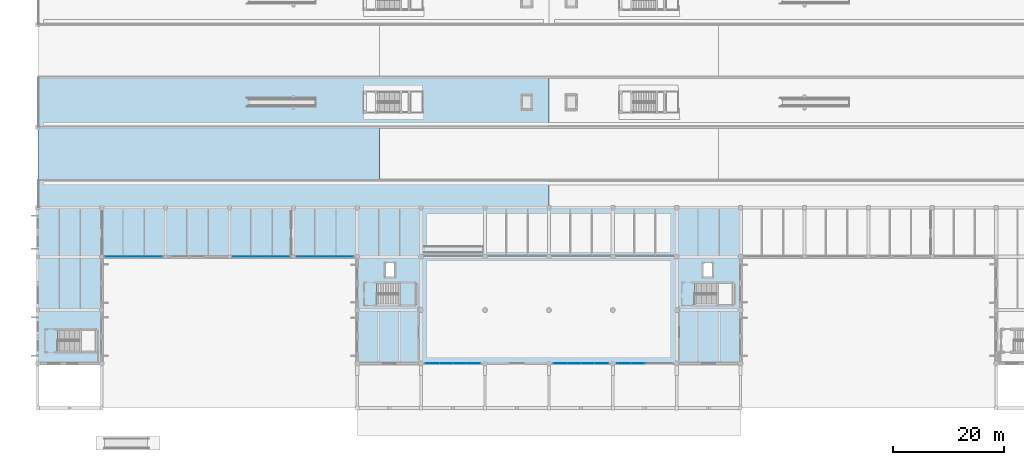
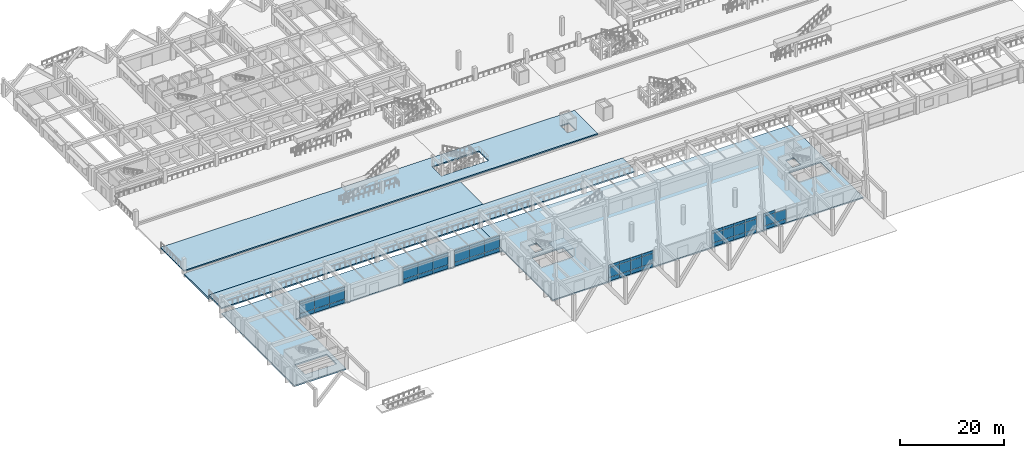
# One storey, part 72 of 109: 56 plates, 6 slabs, 7 elements without a shape of their own.
"""IFC4 building model written with IfcOpenShell, lengths in metres."""

import ifcopenshell
import ifcopenshell.guid

model = None  # the IFC model being written
_history = None  # IfcOwnerHistory: only IFC2X3 demands one
_inside = {}  # id of a spatial element -> (the spatial element, [elements in it])
_under = {}  # id of a project, library or spatial element -> (it, [spatial elements below it])
_declared = {}  # id of a project -> (the project, [libraries it declares])
_typed = {}  # id of a type object -> (the type object, [elements of that type])
_made_of = {}  # id of a material, layer set ... -> (it, [elements and type objects made of it])


def new_model(schema):
    """Start an empty IFC model of exactly this schema.

    Asked for "IFC4X3", IfcOpenShell would pick the latest addendum, in which some entities
    have other attributes; the version numbers below select the first issue.
    IFC2X3 requires an IfcOwnerHistory on every rooted entity: one is made here for all.
    """
    global model, _history
    if schema == "IFC4X3":
        model = ifcopenshell.file(schema_version=(4, 3, 0, 0))
    else:
        model = ifcopenshell.file(schema=schema)
    _inside.clear()
    _under.clear()
    _declared.clear()
    _typed.clear()
    _made_of.clear()
    _history = None
    if model.schema == "IFC2X3":
        org = make("IfcOrganization", Name="unknown")
        user = make(
            "IfcPersonAndOrganization",
            ThePerson=make("IfcPerson", FamilyName="unknown"),
            TheOrganization=org,
        )
        app = make(
            "IfcApplication",
            ApplicationDeveloper=org,
            Version="unknown",
            ApplicationFullName="unknown",
            ApplicationIdentifier="unknown",
        )
        _history = make(
            "IfcOwnerHistory",
            OwningUser=user,
            OwningApplication=app,
            ChangeAction="ADDED",
            CreationDate=0,
        )
    return model


def make(cls, **values):
    """One entity of the class cls with the attributes given. An attribute that is None is left unset."""
    return model.create_entity(
        cls, **{name: value for name, value in values.items() if value is not None}
    )


def rooted(cls, **values):
    """An entity with a GlobalId (a new one), such as an element, a storey or a relation."""
    return make(cls, GlobalId=ifcopenshell.guid.new(), OwnerHistory=_history, **values)


def si_unit(unit_type, name, prefix=None):
    """IfcSIUnit, for example si_unit("LENGTHUNIT", "METRE", prefix="MILLI")."""
    return make("IfcSIUnit", UnitType=unit_type, Prefix=prefix, Name=name)


def assignment(units):
    """IfcUnitAssignment: the units of a project."""
    return None if units is None else make("IfcUnitAssignment", Units=units)


def point(xyz):
    """IfcCartesianPoint."""
    return None if xyz is None else make("IfcCartesianPoint", Coordinates=xyz)


def direction(xyz):
    """IfcDirection."""
    return None if xyz is None else make("IfcDirection", DirectionRatios=xyz)


def frame(location, z_axis=None, x_axis=None):
    """IfcAxis2Placement3D, a coordinate frame: its origin and axes. An axis left out is left unset."""
    return make(
        "IfcAxis2Placement3D",
        Location=point(location),
        Axis=direction(z_axis),
        RefDirection=direction(x_axis),
    )


def frame_2d(location, x_axis=None):
    """IfcAxis2Placement2D, a coordinate frame in the plane: its origin and x axis."""
    return make(
        "IfcAxis2Placement2D", Location=point(location), RefDirection=direction(x_axis)
    )


def origin():
    """The frame at (0, 0, 0) with its axes left unset."""
    return frame((0.0, 0.0, 0.0))


def origin_2d():
    """The frame at (0, 0) in the plane with its x axis left unset."""
    return frame_2d((0.0, 0.0))


def place(relative_to, where):
    """IfcLocalPlacement: puts the frame where relative to a parent placement (None: the world)."""
    return make(
        "IfcLocalPlacement", PlacementRelTo=relative_to, RelativePlacement=where
    )


def context(
    kind, dimensions, precision=None, world=None, true_north=None, identifier=None
):
    """IfcGeometricRepresentationContext, for example the 3D "Model" context."""
    return make(
        "IfcGeometricRepresentationContext",
        ContextIdentifier=identifier,
        ContextType=kind,
        CoordinateSpaceDimension=dimensions,
        Precision=precision,
        WorldCoordinateSystem=world,
        TrueNorth=true_north,
    )


def subcontext(parent, identifier, kind, view, scale=None):
    """IfcGeometricRepresentationSubContext, for example "Body" below "Model"."""
    return make(
        "IfcGeometricRepresentationSubContext",
        ContextIdentifier=identifier,
        ContextType=kind,
        ParentContext=parent,
        TargetScale=scale,
        TargetView=view,
    )


def project(units=None, contexts=None):
    """IfcProject with its units and contexts."""
    return rooted(
        "IfcProject",
        Name="project",
        RepresentationContexts=contexts,
        UnitsInContext=assignment(units),
    )


def spatial(cls, under=None, at=None, **own):
    """A site, building, storey or space (cls), placed at a placement, below another one or the project."""
    s = rooted(cls, ObjectPlacement=at, **own)
    if under is not None:
        _under.setdefault(under.id(), (under, []))[1].append(s)
    return s


def polyline(points):
    """IfcPolyline through the points."""
    return make("IfcPolyline", Points=[point(p) for p in points])


def profile(cls, at=None, kind="AREA", **sizes):
    """A parametric profile (cls). Its sizes go by their IFC names, for example OverallWidth=200.0."""
    return make(cls, ProfileType=kind, Position=at, **sizes)


def rectangle(**sizes):
    """IfcRectangleProfileDef."""
    return profile("IfcRectangleProfileDef", **sizes)


def outline(outer, holes=None, kind="AREA"):
    """IfcArbitraryClosedProfileDef: a profile drawn as a closed curve; with holes, ...WithVoids."""
    if holes is None:
        return make("IfcArbitraryClosedProfileDef", ProfileType=kind, OuterCurve=outer)
    return make(
        "IfcArbitraryProfileDefWithVoids",
        ProfileType=kind,
        OuterCurve=outer,
        InnerCurves=holes,
    )


def extrude(swept, where, along, depth):
    """IfcExtrudedAreaSolid: the profile swept, set in the frame where, extruded along a direction by depth."""
    return make(
        "IfcExtrudedAreaSolid",
        SweptArea=swept,
        Position=where,
        ExtrudedDirection=direction(along),
        Depth=depth,
    )


def shape(context_of_items, identifier, shape_type, items):
    """IfcShapeRepresentation: the items that make up one representation, for example the "Body"."""
    return make(
        "IfcShapeRepresentation",
        ContextOfItems=context_of_items,
        RepresentationIdentifier=identifier,
        RepresentationType=shape_type,
        Items=items,
    )


def material(Name=None, Category=None):
    """IfcMaterial."""
    return make("IfcMaterial", Name=Name, Category=Category)


def layer(
    of_material, thickness, ventilated=None, Name=None, Category=None, Priority=None
):
    """IfcMaterialLayer: one layer of a wall or slab, of a material (None: an air gap)."""
    return make(
        "IfcMaterialLayer",
        Material=of_material,
        LayerThickness=thickness,
        IsVentilated=ventilated,
        Name=Name,
        Category=Category,
        Priority=Priority,
    )


def layer_set(layers, Name=None):
    """IfcMaterialLayerSet."""
    return make("IfcMaterialLayerSet", MaterialLayers=layers, LayerSetName=Name)


def made_of(thing, what):
    """Note that an element or type object is made of a material, layer set ...; save() writes the relation."""
    if what is not None:
        _made_of.setdefault(what.id(), (what, []))[1].append(thing)
    return thing


def type_object(cls, material=None, **own):
    """A type object (cls), such as IfcWallType, which elements share."""
    return made_of(rooted(cls, **own), material)


def element(
    cls,
    number,
    at=None,
    inside=None,
    cuts=None,
    type_object=None,
    material=None,
    context=None,
    identifier="Body",
    shape_type=None,
    held_by="IfcProductDefinitionShape",
    body=None,
    shapes=None,
    **own,
):
    """One element of the class cls, such as IfcWall. Its Tag is "e" and its number.

    at: its placement. inside: the storey or other place that contains it. cuts: it is an
    opening in that element (IfcRelVoidsElement). A single representation is given by context,
    identifier, shape_type and body (its items); several are given by shapes. held_by: the class
    of the entity that holds the representations. save() writes the other relations.
    """
    e = rooted(cls, Tag="e%d" % number, ObjectPlacement=at, **own)
    if body is not None:
        shapes = [shape(context, identifier, shape_type, body)]
    if shapes is not None:
        e.Representation = make(held_by, Representations=shapes)
    if inside is not None:
        _inside.setdefault(inside.id(), (inside, []))[1].append(e)
    if cuts is not None:
        rooted(
            "IfcRelVoidsElement", RelatingBuildingElement=cuts, RelatedOpeningElement=e
        )
    if type_object is not None:
        _typed.setdefault(type_object.id(), (type_object, []))[1].append(e)
    return made_of(e, material)


def aggregate(whole, parts):
    """IfcRelAggregates: a whole, such as a stair, and the parts it consists of."""
    return rooted("IfcRelAggregates", RelatingObject=whole, RelatedObjects=parts)


def save(model, path):
    """Write the relations noted so far, then the file.

    IfcRelAggregates (storeys below a building ...), IfcRelContainedInSpatialStructure (elements
    in a storey), IfcRelDefinesByType, IfcRelAssociatesMaterial and IfcRelDeclares: one each for
    every whole, place, type object, material and project.
    """
    for whole, parts in _under.values():
        aggregate(whole, parts)
    for where, things in _inside.values():
        rooted(
            "IfcRelContainedInSpatialStructure",
            RelatedElements=things,
            RelatingStructure=where,
        )
    for kind, things in _typed.values():
        rooted("IfcRelDefinesByType", RelatedObjects=things, RelatingType=kind)
    for what, things in _made_of.values():
        rooted("IfcRelAssociatesMaterial", RelatedObjects=things, RelatingMaterial=what)
    for by, libraries in _declared.values():
        rooted("IfcRelDeclares", RelatingContext=by, RelatedDefinitions=libraries)
    model.write(path)


model = new_model("IFC4")

# Units and contexts
model_context = context("Model", 3, precision=1e-05, world=origin(), true_north=direction((0.0, 1.0)))
body_context = subcontext(model_context, "Body", "Model", "MODEL_VIEW")
ifc_project = project(units=[si_unit("LENGTHUNIT", "METRE"), si_unit("AREAUNIT", "SQUARE_METRE"), si_unit("VOLUMEUNIT", "CUBIC_METRE"), si_unit("PLANEANGLEUNIT", "RADIAN"), si_unit("MASSUNIT", "GRAM", prefix="KILO")], contexts=[model_context])

# Site, building, storey
site_placement = place(None, origin())
site = spatial("IfcSite", under=ifc_project, at=site_placement, CompositionType="ELEMENT")
building_placement = place(site_placement, origin())
building = spatial("IfcBuilding", under=site, at=building_placement, Name="Ologun Quay Terminus", CompositionType="ELEMENT")
storey_placement = place(building_placement, origin())
storey = spatial("IfcBuildingStorey", under=building, at=storey_placement, Name="L00", CompositionType="ELEMENT", Elevation=0.0)

# Curtain wall, plates
ifc_material_1 = material(Name="Aluminium 6063-T6", Category="aluminium")
curtain_wall_type = type_object("IfcCurtainWallType", Name="Forecourt Arcade Curtain Wall 10700x3750", PredefinedType="USERDEFINED", material=ifc_material_1)
curtain_wall_1_placement = place(storey_placement, origin())
curtain_wall_1 = element("IfcCurtainWall", 1, at=curtain_wall_1_placement, inside=storey, type_object=curtain_wall_type, Name="CW-03 Curtain Wall CW-L00-004", ObjectType="UNITISED CURTAIN WALL", PredefinedType="USERDEFINED")
ifc_material_2 = material(Name="Glass", Category="glass")
ifc_layer_1 = layer(ifc_material_2, 0.031982421875)
ifc_layer_set_1 = layer_set([ifc_layer_1], Name="Glass")
plate_type_1 = type_object("IfcPlateType", Name="Acoustic Low-E Laminated Glazed Panel 32", PredefinedType="CURTAIN_PANEL", material=ifc_layer_set_1)
plate_1_placement = place(storey_placement, frame((71.052490234375, 8.0, 0.93017578125), z_axis=(0.0, 0.0, 1.0), x_axis=(1.0, 0.0, 0.0)))
plate_1 = element("IfcPlate", 2, at=plate_1_placement, type_object=plate_type_1, Name="CW-L00-004 Panel B1-2", PredefinedType="CURTAIN_PANEL", context=body_context, shape_type="SweptSolid", body=[
    extrude(rectangle(XDim=2.465087890625, YDim=0.031982421875, at=origin_2d()), origin(), (0.0, 0.0, 1.0), 2.219970703125),
])
plate_2_placement = place(storey_placement, frame((71.052490234375, 8.0, 3.2099609375), z_axis=(0.0, 0.0, 1.0), x_axis=(1.0, 0.0, 0.0)))
plate_2 = element("IfcPlate", 3, at=plate_2_placement, type_object=plate_type_1, Name="CW-L00-004 Panel B1-3", PredefinedType="CURTAIN_PANEL", context=body_context, shape_type="SweptSolid", body=[
    extrude(rectangle(XDim=2.465087890625, YDim=0.031982421875, at=origin_2d()), origin(), (0.0, 0.0, 1.0), 0.639892578125),
])
plate_3_placement = place(storey_placement, frame((73.517578125, 8.0, 0.93017578125), z_axis=(0.0, 0.0, 1.0), x_axis=(1.0, 0.0, 0.0)))
plate_3 = element("IfcPlate", 4, at=plate_3_placement, type_object=plate_type_1, Name="CW-L00-004 Panel B2-2", PredefinedType="CURTAIN_PANEL", context=body_context, shape_type="SweptSolid", body=[
    extrude(rectangle(XDim=2.465087890625, YDim=0.031982421875, at=origin_2d()), origin(), (0.0, 0.0, 1.0), 2.219970703125),
])
plate_4_placement = place(storey_placement, frame((73.517578125, 8.0, 3.2099609375), z_axis=(0.0, 0.0, 1.0), x_axis=(1.0, 0.0, 0.0)))
plate_4 = element("IfcPlate", 5, at=plate_4_placement, type_object=plate_type_1, Name="CW-L00-004 Panel B2-3", PredefinedType="CURTAIN_PANEL", context=body_context, shape_type="SweptSolid", body=[
    extrude(rectangle(XDim=2.465087890625, YDim=0.031982421875, at=origin_2d()), origin(), (0.0, 0.0, 1.0), 0.639892578125),
])
plate_5_placement = place(storey_placement, frame((75.982421875, 8.0, 0.93017578125), z_axis=(0.0, 0.0, 1.0), x_axis=(1.0, 0.0, 0.0)))
plate_5 = element("IfcPlate", 6, at=plate_5_placement, type_object=plate_type_1, Name="CW-L00-004 Panel B3-2", PredefinedType="CURTAIN_PANEL", context=body_context, shape_type="SweptSolid", body=[
    extrude(rectangle(XDim=2.465087890625, YDim=0.031982421875, at=origin_2d()), origin(), (0.0, 0.0, 1.0), 2.219970703125),
])
plate_6_placement = place(storey_placement, frame((75.982421875, 8.0, 3.2099609375), z_axis=(0.0, 0.0, 1.0), x_axis=(1.0, 0.0, 0.0)))
plate_6 = element("IfcPlate", 7, at=plate_6_placement, type_object=plate_type_1, Name="CW-L00-004 Panel B3-3", PredefinedType="CURTAIN_PANEL", context=body_context, shape_type="SweptSolid", body=[
    extrude(rectangle(XDim=2.465087890625, YDim=0.031982421875, at=origin_2d()), origin(), (0.0, 0.0, 1.0), 0.639892578125),
])
plate_7_placement = place(storey_placement, frame((78.447509765625, 8.0, 0.93017578125), z_axis=(0.0, 0.0, 1.0), x_axis=(1.0, 0.0, 0.0)))
plate_7 = element("IfcPlate", 8, at=plate_7_placement, type_object=plate_type_1, Name="CW-L00-004 Panel B4-2", PredefinedType="CURTAIN_PANEL", context=body_context, shape_type="SweptSolid", body=[
    extrude(rectangle(XDim=2.465087890625, YDim=0.031982421875, at=origin_2d()), origin(), (0.0, 0.0, 1.0), 2.219970703125),
])
plate_8_placement = place(storey_placement, frame((78.447509765625, 8.0, 3.2099609375), z_axis=(0.0, 0.0, 1.0), x_axis=(1.0, 0.0, 0.0)))
plate_8 = element("IfcPlate", 9, at=plate_8_placement, type_object=plate_type_1, Name="CW-L00-004 Panel B4-3", PredefinedType="CURTAIN_PANEL", context=body_context, shape_type="SweptSolid", body=[
    extrude(rectangle(XDim=2.465087890625, YDim=0.031982421875, at=origin_2d()), origin(), (0.0, 0.0, 1.0), 0.639892578125),
])

curtain_wall_2_placement = place(storey_placement, origin())
curtain_wall_2 = element("IfcCurtainWall", 10, at=curtain_wall_2_placement, inside=storey, type_object=curtain_wall_type, Name="CW-03 Curtain Wall CW-L00-005", ObjectType="UNITISED CURTAIN WALL", PredefinedType="USERDEFINED")
plate_9_placement = place(storey_placement, frame((94.052490234375, 8.0, 0.93017578125), z_axis=(0.0, 0.0, 1.0), x_axis=(1.0, 0.0, 0.0)))
plate_9 = element("IfcPlate", 11, at=plate_9_placement, type_object=plate_type_1, Name="CW-L00-005 Panel B1-2", PredefinedType="CURTAIN_PANEL", context=body_context, shape_type="SweptSolid", body=[
    extrude(rectangle(XDim=2.465087890625, YDim=0.031982421875, at=origin_2d()), origin(), (0.0, 0.0, 1.0), 2.219970703125),
])
plate_10_placement = place(storey_placement, frame((94.052490234375, 8.0, 3.2099609375), z_axis=(0.0, 0.0, 1.0), x_axis=(1.0, 0.0, 0.0)))
plate_10 = element("IfcPlate", 12, at=plate_10_placement, type_object=plate_type_1, Name="CW-L00-005 Panel B1-3", PredefinedType="CURTAIN_PANEL", context=body_context, shape_type="SweptSolid", body=[
    extrude(rectangle(XDim=2.465087890625, YDim=0.031982421875, at=origin_2d()), origin(), (0.0, 0.0, 1.0), 0.639892578125),
])
plate_11_placement = place(storey_placement, frame((96.517578125, 8.0, 0.93017578125), z_axis=(0.0, 0.0, 1.0), x_axis=(1.0, 0.0, 0.0)))
plate_11 = element("IfcPlate", 13, at=plate_11_placement, type_object=plate_type_1, Name="CW-L00-005 Panel B2-2", PredefinedType="CURTAIN_PANEL", context=body_context, shape_type="SweptSolid", body=[
    extrude(rectangle(XDim=2.465087890625, YDim=0.031982421875, at=origin_2d()), origin(), (0.0, 0.0, 1.0), 2.219970703125),
])
plate_12_placement = place(storey_placement, frame((96.517578125, 8.0, 3.2099609375), z_axis=(0.0, 0.0, 1.0), x_axis=(1.0, 0.0, 0.0)))
plate_12 = element("IfcPlate", 14, at=plate_12_placement, type_object=plate_type_1, Name="CW-L00-005 Panel B2-3", PredefinedType="CURTAIN_PANEL", context=body_context, shape_type="SweptSolid", body=[
    extrude(rectangle(XDim=2.465087890625, YDim=0.031982421875, at=origin_2d()), origin(), (0.0, 0.0, 1.0), 0.639892578125),
])
plate_13_placement = place(storey_placement, frame((98.982421875, 8.0, 0.93017578125), z_axis=(0.0, 0.0, 1.0), x_axis=(1.0, 0.0, 0.0)))
plate_13 = element("IfcPlate", 15, at=plate_13_placement, type_object=plate_type_1, Name="CW-L00-005 Panel B3-2", PredefinedType="CURTAIN_PANEL", context=body_context, shape_type="SweptSolid", body=[
    extrude(rectangle(XDim=2.465087890625, YDim=0.031982421875, at=origin_2d()), origin(), (0.0, 0.0, 1.0), 2.219970703125),
])
plate_14_placement = place(storey_placement, frame((98.982421875, 8.0, 3.2099609375), z_axis=(0.0, 0.0, 1.0), x_axis=(1.0, 0.0, 0.0)))
plate_14 = element("IfcPlate", 16, at=plate_14_placement, type_object=plate_type_1, Name="CW-L00-005 Panel B3-3", PredefinedType="CURTAIN_PANEL", context=body_context, shape_type="SweptSolid", body=[
    extrude(rectangle(XDim=2.465087890625, YDim=0.031982421875, at=origin_2d()), origin(), (0.0, 0.0, 1.0), 0.639892578125),
])
plate_15_placement = place(storey_placement, frame((101.447509765625, 8.0, 0.93017578125), z_axis=(0.0, 0.0, 1.0), x_axis=(1.0, 0.0, 0.0)))
plate_15 = element("IfcPlate", 17, at=plate_15_placement, type_object=plate_type_1, Name="CW-L00-005 Panel B4-2", PredefinedType="CURTAIN_PANEL", context=body_context, shape_type="SweptSolid", body=[
    extrude(rectangle(XDim=2.465087890625, YDim=0.031982421875, at=origin_2d()), origin(), (0.0, 0.0, 1.0), 2.219970703125),
])
plate_16_placement = place(storey_placement, frame((101.447509765625, 8.0, 3.2099609375), z_axis=(0.0, 0.0, 1.0), x_axis=(1.0, 0.0, 0.0)))
plate_16 = element("IfcPlate", 18, at=plate_16_placement, type_object=plate_type_1, Name="CW-L00-005 Panel B4-3", PredefinedType="CURTAIN_PANEL", context=body_context, shape_type="SweptSolid", body=[
    extrude(rectangle(XDim=2.465087890625, YDim=0.031982421875, at=origin_2d()), origin(), (0.0, 0.0, 1.0), 0.639892578125),
])

curtain_wall_3_placement = place(storey_placement, origin())
curtain_wall_3 = element("IfcCurtainWall", 19, at=curtain_wall_3_placement, inside=storey, type_object=curtain_wall_type, Name="CW-03 Curtain Wall CW-L00-006", ObjectType="UNITISED CURTAIN WALL", PredefinedType="USERDEFINED")
plate_17_placement = place(storey_placement, frame((105.552490234375, 8.0, 0.93017578125), z_axis=(0.0, 0.0, 1.0), x_axis=(1.0, 0.0, 0.0)))
plate_17 = element("IfcPlate", 20, at=plate_17_placement, type_object=plate_type_1, Name="CW-L00-006 Panel B1-2", PredefinedType="CURTAIN_PANEL", context=body_context, shape_type="SweptSolid", body=[
    extrude(rectangle(XDim=2.465087890625, YDim=0.031982421875, at=origin_2d()), origin(), (0.0, 0.0, 1.0), 2.219970703125),
])
plate_18_placement = place(storey_placement, frame((105.552490234375, 8.0, 3.2099609375), z_axis=(0.0, 0.0, 1.0), x_axis=(1.0, 0.0, 0.0)))
plate_18 = element("IfcPlate", 21, at=plate_18_placement, type_object=plate_type_1, Name="CW-L00-006 Panel B1-3", PredefinedType="CURTAIN_PANEL", context=body_context, shape_type="SweptSolid", body=[
    extrude(rectangle(XDim=2.465087890625, YDim=0.031982421875, at=origin_2d()), origin(), (0.0, 0.0, 1.0), 0.639892578125),
])
plate_19_placement = place(storey_placement, frame((108.017578125, 8.0, 0.93017578125), z_axis=(0.0, 0.0, 1.0), x_axis=(1.0, 0.0, 0.0)))
plate_19 = element("IfcPlate", 22, at=plate_19_placement, type_object=plate_type_1, Name="CW-L00-006 Panel B2-2", PredefinedType="CURTAIN_PANEL", context=body_context, shape_type="SweptSolid", body=[
    extrude(rectangle(XDim=2.465087890625, YDim=0.031982421875, at=origin_2d()), origin(), (0.0, 0.0, 1.0), 2.219970703125),
])

# Slabs
ifc_material_3 = material(Name="Concrete C40/50", Category="concrete")
ifc_layer_2 = layer(ifc_material_3, 0.320068359375)
ifc_layer_set_2 = layer_set([ifc_layer_2], Name="Concrete C40/50")
slab_type_1 = type_object("IfcSlabType", Name="Ground Podium Structural Slab 320", PredefinedType="FLOOR", material=ifc_layer_set_2)
slab_1_placement = place(storey_placement, frame((0.0, 0.0, -0.320068359375)))
element("IfcSlab", 23, at=slab_1_placement, inside=storey, type_object=slab_type_1, Name="SL-GND South Station Ground Slab 1", PredefinedType="FLOOR", context=body_context, shape_type="SweptSolid", body=[
    extrude(outline(polyline([(0.0, 8.0), (11.5, 8.0), (11.5, 27.199951171875), (57.5, 27.199951171875), (57.5, 36.0), (0.0, 36.0), (0.0, 8.0)]), holes=[polyline([(3.6298828125, 10.199951171875), (3.6298828125, 14.0), (10.64990234375, 14.0), (10.64990234375, 10.199951171875), (3.6298828125, 10.199951171875)])]), origin(), (0.0, 0.0, 1.0), 0.320068359375),
])
slab_2_placement = place(storey_placement, frame((0.0, 0.0, -0.320068359375)))
element("IfcSlab", 24, at=slab_2_placement, inside=storey, type_object=slab_type_1, Name="SL-GND South Station Ground Slab 2", PredefinedType="FLOOR", context=body_context, shape_type="SweptSolid", body=[
    extrude(outline(polyline([(57.5, 8.0), (126.5, 8.0), (126.5, 36.0), (57.5, 36.0), (57.5, 8.0)]), holes=[polyline([(62.449951171875, 23.449951171875), (62.449951171875, 26.14990234375), (64.35009765625, 26.14990234375), (64.35009765625, 23.449951171875), (62.449951171875, 23.449951171875)]), polyline([(119.64990234375, 23.449951171875), (119.64990234375, 26.14990234375), (121.550048828125, 26.14990234375), (121.550048828125, 23.449951171875), (119.64990234375, 23.449951171875)]), polyline([(61.080078125, 18.60009765625), (61.080078125, 22.39990234375), (68.10009765625, 22.39990234375), (68.10009765625, 18.60009765625), (61.080078125, 18.60009765625)]), polyline([(118.280029296875, 18.60009765625), (118.280029296875, 22.39990234375), (125.300048828125, 22.39990234375), (125.300048828125, 18.60009765625), (118.280029296875, 18.60009765625)])]), origin(), (0.0, 0.0, 1.0), 0.320068359375),
])

# Curtain wall, plates
curtain_wall_4_placement = place(storey_placement, origin())
curtain_wall_4 = element("IfcCurtainWall", 25, at=curtain_wall_4_placement, inside=storey, type_object=curtain_wall_type, Name="CW-03 Curtain Wall CW-L00-001", ObjectType="UNITISED CURTAIN WALL", PredefinedType="USERDEFINED")
ifc_material_4 = material(Name="Aluminium 6063-T6", Category="aluminium")
ifc_layer_3 = layer(ifc_material_4, 0.050048828125)
ifc_layer_set_3 = layer_set([ifc_layer_3], Name="Aluminium 6063-T6")
plate_type_2 = type_object("IfcPlateType", Name="Insulated Aluminium Shadow-Box Spandrel 50", PredefinedType="CURTAIN_PANEL", material=ifc_layer_set_3)
plate_20_placement = place(storey_placement, frame((13.896728515625, 27.199951171875, 0.02978515625), z_axis=(0.0, 0.0, 1.0), x_axis=(1.0, 0.0, 0.0)))
plate_20 = element("IfcPlate", 26, at=plate_20_placement, type_object=plate_type_2, Name="CW-L00-001 Panel B1-1", PredefinedType="CURTAIN_PANEL", context=body_context, shape_type="SweptSolid", body=[
    extrude(rectangle(XDim=3.353271484375, YDim=0.050048828125, at=origin_2d()), origin(), (0.0, 0.0, 1.0), 0.840087890625),
])
plate_21_placement = place(storey_placement, frame((17.25, 27.199951171875, 0.02978515625), z_axis=(0.0, 0.0, 1.0), x_axis=(1.0, 0.0, 0.0)))
plate_21 = element("IfcPlate", 27, at=plate_21_placement, type_object=plate_type_2, Name="CW-L00-001 Panel B2-1", PredefinedType="CURTAIN_PANEL", context=body_context, shape_type="SweptSolid", body=[
    extrude(rectangle(XDim=3.353271484375, YDim=0.050048828125, at=origin_2d()), origin(), (0.0, 0.0, 1.0), 0.840087890625),
])
plate_22_placement = place(storey_placement, frame((20.603271484375, 27.199951171875, 0.02978515625), z_axis=(0.0, 0.0, 1.0), x_axis=(1.0, 0.0, 0.0)))
plate_22 = element("IfcPlate", 28, at=plate_22_placement, type_object=plate_type_2, Name="CW-L00-001 Panel B3-1", PredefinedType="CURTAIN_PANEL", context=body_context, shape_type="SweptSolid", body=[
    extrude(rectangle(XDim=3.353271484375, YDim=0.050048828125, at=origin_2d()), origin(), (0.0, 0.0, 1.0), 0.840087890625),
])

curtain_wall_5_placement = place(storey_placement, origin())
curtain_wall_5 = element("IfcCurtainWall", 29, at=curtain_wall_5_placement, inside=storey, type_object=curtain_wall_type, Name="CW-03 Curtain Wall CW-L00-002", ObjectType="UNITISED CURTAIN WALL", PredefinedType="USERDEFINED")
plate_23_placement = place(storey_placement, frame((36.896728515625, 27.199951171875, 0.02978515625), z_axis=(0.0, 0.0, 1.0), x_axis=(1.0, 0.0, 0.0)))
plate_23 = element("IfcPlate", 30, at=plate_23_placement, type_object=plate_type_2, Name="CW-L00-002 Panel B1-1", PredefinedType="CURTAIN_PANEL", context=body_context, shape_type="SweptSolid", body=[
    extrude(rectangle(XDim=3.353271484375, YDim=0.050048828125, at=origin_2d()), origin(), (0.0, 0.0, 1.0), 0.840087890625),
])
plate_24_placement = place(storey_placement, frame((40.25, 27.199951171875, 0.02978515625), z_axis=(0.0, 0.0, 1.0), x_axis=(1.0, 0.0, 0.0)))
plate_24 = element("IfcPlate", 31, at=plate_24_placement, type_object=plate_type_2, Name="CW-L00-002 Panel B2-1", PredefinedType="CURTAIN_PANEL", context=body_context, shape_type="SweptSolid", body=[
    extrude(rectangle(XDim=3.353271484375, YDim=0.050048828125, at=origin_2d()), origin(), (0.0, 0.0, 1.0), 0.840087890625),
])
plate_25_placement = place(storey_placement, frame((43.603271484375, 27.199951171875, 0.02978515625), z_axis=(0.0, 0.0, 1.0), x_axis=(1.0, 0.0, 0.0)))
plate_25 = element("IfcPlate", 32, at=plate_25_placement, type_object=plate_type_2, Name="CW-L00-002 Panel B3-1", PredefinedType="CURTAIN_PANEL", context=body_context, shape_type="SweptSolid", body=[
    extrude(rectangle(XDim=3.353271484375, YDim=0.050048828125, at=origin_2d()), origin(), (0.0, 0.0, 1.0), 0.840087890625),
])

curtain_wall_6_placement = place(storey_placement, origin())
curtain_wall_6 = element("IfcCurtainWall", 33, at=curtain_wall_6_placement, inside=storey, type_object=curtain_wall_type, Name="CW-03 Curtain Wall CW-L00-003", ObjectType="UNITISED CURTAIN WALL", PredefinedType="USERDEFINED")
plate_26_placement = place(storey_placement, frame((48.3798828125, 27.199951171875, 0.02978515625), z_axis=(0.0, 0.0, 1.0), x_axis=(1.0, 0.0, 0.0)))
plate_26 = element("IfcPlate", 34, at=plate_26_placement, type_object=plate_type_2, Name="CW-L00-003 Panel B1-1", PredefinedType="CURTAIN_PANEL", context=body_context, shape_type="SweptSolid", body=[
    extrude(rectangle(XDim=3.320068359375, YDim=0.050048828125, at=origin_2d()), origin(), (0.0, 0.0, 1.0), 0.840087890625),
])
plate_27_placement = place(storey_placement, frame((51.699951171875, 27.199951171875, 0.02978515625), z_axis=(0.0, 0.0, 1.0), x_axis=(1.0, 0.0, 0.0)))
plate_27 = element("IfcPlate", 35, at=plate_27_placement, type_object=plate_type_2, Name="CW-L00-003 Panel B2-1", PredefinedType="CURTAIN_PANEL", context=body_context, shape_type="SweptSolid", body=[
    extrude(rectangle(XDim=3.320068359375, YDim=0.050048828125, at=origin_2d()), origin(), (0.0, 0.0, 1.0), 0.840087890625),
])
plate_28_placement = place(storey_placement, frame((55.02001953125, 27.199951171875, 0.02978515625), z_axis=(0.0, 0.0, 1.0), x_axis=(1.0, 0.0, 0.0)))
plate_28 = element("IfcPlate", 36, at=plate_28_placement, type_object=plate_type_2, Name="CW-L00-003 Panel B3-1", PredefinedType="CURTAIN_PANEL", context=body_context, shape_type="SweptSolid", body=[
    extrude(rectangle(XDim=3.320068359375, YDim=0.050048828125, at=origin_2d()), origin(), (0.0, 0.0, 1.0), 0.840087890625),
])

# Plate
plate_29_placement = place(storey_placement, frame((71.052490234375, 8.0, 0.02978515625), z_axis=(0.0, 0.0, 1.0), x_axis=(1.0, 0.0, 0.0)))
plate_29 = element("IfcPlate", 37, at=plate_29_placement, type_object=plate_type_2, Name="CW-L00-004 Panel B1-1", PredefinedType="CURTAIN_PANEL", context=body_context, shape_type="SweptSolid", body=[
    extrude(rectangle(XDim=2.465087890625, YDim=0.050048828125, at=origin_2d()), origin(), (0.0, 0.0, 1.0), 0.840087890625),
])

plate_30_placement = place(storey_placement, frame((73.517578125, 8.0, 0.02978515625), z_axis=(0.0, 0.0, 1.0), x_axis=(1.0, 0.0, 0.0)))
plate_30 = element("IfcPlate", 38, at=plate_30_placement, type_object=plate_type_2, Name="CW-L00-004 Panel B2-1", PredefinedType="CURTAIN_PANEL", context=body_context, shape_type="SweptSolid", body=[
    extrude(rectangle(XDim=2.465087890625, YDim=0.050048828125, at=origin_2d()), origin(), (0.0, 0.0, 1.0), 0.840087890625),
])

plate_31_placement = place(storey_placement, frame((75.982421875, 8.0, 0.02978515625), z_axis=(0.0, 0.0, 1.0), x_axis=(1.0, 0.0, 0.0)))
plate_31 = element("IfcPlate", 39, at=plate_31_placement, type_object=plate_type_2, Name="CW-L00-004 Panel B3-1", PredefinedType="CURTAIN_PANEL", context=body_context, shape_type="SweptSolid", body=[
    extrude(rectangle(XDim=2.465087890625, YDim=0.050048828125, at=origin_2d()), origin(), (0.0, 0.0, 1.0), 0.840087890625),
])

plate_32_placement = place(storey_placement, frame((78.447509765625, 8.0, 0.02978515625), z_axis=(0.0, 0.0, 1.0), x_axis=(1.0, 0.0, 0.0)))
plate_32 = element("IfcPlate", 40, at=plate_32_placement, type_object=plate_type_2, Name="CW-L00-004 Panel B4-1", PredefinedType="CURTAIN_PANEL", context=body_context, shape_type="SweptSolid", body=[
    extrude(rectangle(XDim=2.465087890625, YDim=0.050048828125, at=origin_2d()), origin(), (0.0, 0.0, 1.0), 0.840087890625),
])

aggregate(curtain_wall_1, [plate_29, plate_1, plate_2, plate_30, plate_3, plate_4, plate_31, plate_5, plate_6, plate_32, plate_7, plate_8])

plate_33_placement = place(storey_placement, frame((94.052490234375, 8.0, 0.02978515625), z_axis=(0.0, 0.0, 1.0), x_axis=(1.0, 0.0, 0.0)))
plate_33 = element("IfcPlate", 41, at=plate_33_placement, type_object=plate_type_2, Name="CW-L00-005 Panel B1-1", PredefinedType="CURTAIN_PANEL", context=body_context, shape_type="SweptSolid", body=[
    extrude(rectangle(XDim=2.465087890625, YDim=0.050048828125, at=origin_2d()), origin(), (0.0, 0.0, 1.0), 0.840087890625),
])

plate_34_placement = place(storey_placement, frame((96.517578125, 8.0, 0.02978515625), z_axis=(0.0, 0.0, 1.0), x_axis=(1.0, 0.0, 0.0)))
plate_34 = element("IfcPlate", 42, at=plate_34_placement, type_object=plate_type_2, Name="CW-L00-005 Panel B2-1", PredefinedType="CURTAIN_PANEL", context=body_context, shape_type="SweptSolid", body=[
    extrude(rectangle(XDim=2.465087890625, YDim=0.050048828125, at=origin_2d()), origin(), (0.0, 0.0, 1.0), 0.840087890625),
])

plate_35_placement = place(storey_placement, frame((98.982421875, 8.0, 0.02978515625), z_axis=(0.0, 0.0, 1.0), x_axis=(1.0, 0.0, 0.0)))
plate_35 = element("IfcPlate", 43, at=plate_35_placement, type_object=plate_type_2, Name="CW-L00-005 Panel B3-1", PredefinedType="CURTAIN_PANEL", context=body_context, shape_type="SweptSolid", body=[
    extrude(rectangle(XDim=2.465087890625, YDim=0.050048828125, at=origin_2d()), origin(), (0.0, 0.0, 1.0), 0.840087890625),
])

plate_36_placement = place(storey_placement, frame((101.447509765625, 8.0, 0.02978515625), z_axis=(0.0, 0.0, 1.0), x_axis=(1.0, 0.0, 0.0)))
plate_36 = element("IfcPlate", 44, at=plate_36_placement, type_object=plate_type_2, Name="CW-L00-005 Panel B4-1", PredefinedType="CURTAIN_PANEL", context=body_context, shape_type="SweptSolid", body=[
    extrude(rectangle(XDim=2.465087890625, YDim=0.050048828125, at=origin_2d()), origin(), (0.0, 0.0, 1.0), 0.840087890625),
])

aggregate(curtain_wall_2, [plate_33, plate_9, plate_10, plate_34, plate_11, plate_12, plate_35, plate_13, plate_14, plate_36, plate_15, plate_16])

plate_37_placement = place(storey_placement, frame((105.552490234375, 8.0, 0.02978515625), z_axis=(0.0, 0.0, 1.0), x_axis=(1.0, 0.0, 0.0)))
plate_37 = element("IfcPlate", 45, at=plate_37_placement, type_object=plate_type_2, Name="CW-L00-006 Panel B1-1", PredefinedType="CURTAIN_PANEL", context=body_context, shape_type="SweptSolid", body=[
    extrude(rectangle(XDim=2.465087890625, YDim=0.050048828125, at=origin_2d()), origin(), (0.0, 0.0, 1.0), 0.840087890625),
])

plate_38_placement = place(storey_placement, frame((108.017578125, 8.0, 0.02978515625), z_axis=(0.0, 0.0, 1.0), x_axis=(1.0, 0.0, 0.0)))
plate_38 = element("IfcPlate", 46, at=plate_38_placement, type_object=plate_type_2, Name="CW-L00-006 Panel B2-1", PredefinedType="CURTAIN_PANEL", context=body_context, shape_type="SweptSolid", body=[
    extrude(rectangle(XDim=2.465087890625, YDim=0.050048828125, at=origin_2d()), origin(), (0.0, 0.0, 1.0), 0.840087890625),
])

aggregate(curtain_wall_3, [plate_37, plate_17, plate_18, plate_38, plate_19])

# Slabs
ifc_material_5 = material(Name="Concrete C40/50", Category="concrete")
ifc_layer_4 = layer(ifc_material_5, 0.39990234375)
ifc_layer_set_4 = layer_set([ifc_layer_4], Name="Concrete C40/50")
slab_type_2 = type_object("IfcSlabType", Name="Isolated Railway Track Bed Slab 400", PredefinedType="FLOOR", material=ifc_layer_set_4)
slab_3_placement = place(storey_placement, frame((0.0, 0.0, 0.14990234375)))
element("IfcSlab", 47, at=slab_3_placement, inside=storey, type_object=slab_type_2, Name="SL-TRK Track Bed T1-T2 Slab Zone 1", PredefinedType="FLOOR", context=body_context, shape_type="SweptSolid", body=[
    extrude(outline(polyline([(0.0, 41.0), (61.5, 41.0), (61.5, 50.5), (0.0, 50.5), (0.0, 41.0)])), origin(), (0.0, 0.0, 1.0), 0.400146484375),
])
ifc_material_6 = material(Name="Concrete C40/50", Category="concrete")
ifc_layer_5 = layer(ifc_material_6, 0.300048828125)
ifc_layer_set_5 = layer_set([ifc_layer_5], Name="Concrete C40/50")
slab_type_3 = type_object("IfcSlabType", Name="Passenger Platform Deck Slab 300", PredefinedType="FLOOR", material=ifc_layer_set_5)
slab_4_placement = place(storey_placement, frame((0.0, 0.0, 0.949951171875)))
element("IfcSlab", 48, at=slab_4_placement, inside=storey, type_object=slab_type_3, Name="SL-PLT Platform 1 Slab Part 1", PredefinedType="FLOOR", context=body_context, shape_type="SweptSolid", body=[
    extrude(outline(polyline([(0.0, 50.5), (92.0, 50.5), (92.0, 59.5), (0.0, 59.5), (0.0, 50.5)]), holes=[polyline([(87.050048828125, 53.64990234375), (87.050048828125, 56.35009765625), (88.949951171875, 56.35009765625), (88.949951171875, 53.64990234375), (87.050048828125, 53.64990234375)]), polyline([(58.75, 53.14990234375), (58.75, 56.85009765625), (69.25, 56.85009765625), (69.25, 53.14990234375), (58.75, 53.14990234375)])]), origin(), (0.0, 0.0, 1.0), 0.300048828125),
])
slab_5_placement = place(storey_placement, frame((0.0, 0.0, 0.949951171875)))
element("IfcSlab", 49, at=slab_5_placement, inside=storey, type_object=slab_type_3, Name="SL-PLT Platform 3 Slab Part 1", PredefinedType="FLOOR", context=body_context, shape_type="SweptSolid", body=[
    extrude(outline(polyline([(0.0, 36.0), (92.0, 36.0), (92.0, 41.0), (0.0, 41.0), (0.0, 36.0)])), origin(), (0.0, 0.0, 1.0), 0.300048828125),
])

# Stair, slab
ifc_material_7 = material(Name="Concrete C40/50", Category="concrete")
stair_type = type_object("IfcStairType", Name="Station Concourse Escape Stair 1800", PredefinedType="HALF_TURN_STAIR", material=ifc_material_7)
stair_placement = place(storey_placement, origin())
stair = element("IfcStair", 50, at=stair_placement, inside=storey, type_object=stair_type, Name="ST-S3 Stair L00", PredefinedType="HALF_TURN_STAIR")
ifc_material_8 = material(Name="Precast Concrete C40/50", Category="concrete")
ifc_layer_6 = layer(ifc_material_8, 0.179931640625)
ifc_layer_set_6 = layer_set([ifc_layer_6], Name="Precast Concrete C40/50")
slab_type_4 = type_object("IfcSlabType", Name="Precast Stair Half-Landing Slab 180", PredefinedType="LANDING", material=ifc_layer_set_6)
slab_6_placement = place(storey_placement, frame((0.0, 0.0, 1.919921875)))
slab_6 = element("IfcSlab", 51, at=slab_6_placement, type_object=slab_type_4, Name="ST-S3 Half-Landing L00", PredefinedType="LANDING", context=body_context, shape_type="SweptSolid", body=[
    extrude(outline(polyline([(64.919921875, 18.52001953125), (68.179931640625, 18.52001953125), (68.179931640625, 22.47998046875), (64.919921875, 22.47998046875), (64.919921875, 18.52001953125)])), origin(), (0.0, 0.0, 1.0), 0.18017578125),
])
aggregate(stair, [slab_6])

# Plate
ifc_material_9 = material(Name="Glass", Category="glass")
ifc_layer_7 = layer(ifc_material_9, 0.028076171875)
ifc_layer_set_7 = layer_set([ifc_layer_7], Name="Glass")
plate_type_3 = type_object("IfcPlateType", Name="Solar-Control Double Glazed Panel 28", PredefinedType="CURTAIN_PANEL", material=ifc_layer_set_7)
plate_39_placement = place(storey_placement, frame((13.896728515625, 27.199951171875, 0.93017578125), z_axis=(0.0, 0.0, 1.0), x_axis=(1.0, 0.0, 0.0)))
plate_39 = element("IfcPlate", 52, at=plate_39_placement, type_object=plate_type_3, Name="CW-L00-001 Panel B1-2", PredefinedType="CURTAIN_PANEL", context=body_context, shape_type="SweptSolid", body=[
    extrude(rectangle(XDim=3.353271484375, YDim=0.028076171875, at=origin_2d()), origin(), (0.0, 0.0, 1.0), 2.219970703125),
])

plate_40_placement = place(storey_placement, frame((13.896728515625, 27.199951171875, 3.2099609375), z_axis=(0.0, 0.0, 1.0), x_axis=(1.0, 0.0, 0.0)))
plate_40 = element("IfcPlate", 53, at=plate_40_placement, type_object=plate_type_3, Name="CW-L00-001 Panel B1-3", PredefinedType="CURTAIN_PANEL", context=body_context, shape_type="SweptSolid", body=[
    extrude(rectangle(XDim=3.353271484375, YDim=0.028076171875, at=origin_2d()), origin(), (0.0, 0.0, 1.0), 0.639892578125),
])

plate_41_placement = place(storey_placement, frame((17.25, 27.199951171875, 0.93017578125), z_axis=(0.0, 0.0, 1.0), x_axis=(1.0, 0.0, 0.0)))
plate_41 = element("IfcPlate", 54, at=plate_41_placement, type_object=plate_type_3, Name="CW-L00-001 Panel B2-2", PredefinedType="CURTAIN_PANEL", context=body_context, shape_type="SweptSolid", body=[
    extrude(rectangle(XDim=3.353271484375, YDim=0.028076171875, at=origin_2d()), origin(), (0.0, 0.0, 1.0), 2.219970703125),
])

plate_42_placement = place(storey_placement, frame((17.25, 27.199951171875, 3.2099609375), z_axis=(0.0, 0.0, 1.0), x_axis=(1.0, 0.0, 0.0)))
plate_42 = element("IfcPlate", 55, at=plate_42_placement, type_object=plate_type_3, Name="CW-L00-001 Panel B2-3", PredefinedType="CURTAIN_PANEL", context=body_context, shape_type="SweptSolid", body=[
    extrude(rectangle(XDim=3.353271484375, YDim=0.028076171875, at=origin_2d()), origin(), (0.0, 0.0, 1.0), 0.639892578125),
])

plate_43_placement = place(storey_placement, frame((20.603271484375, 27.199951171875, 0.93017578125), z_axis=(0.0, 0.0, 1.0), x_axis=(1.0, 0.0, 0.0)))
plate_43 = element("IfcPlate", 56, at=plate_43_placement, type_object=plate_type_3, Name="CW-L00-001 Panel B3-2", PredefinedType="CURTAIN_PANEL", context=body_context, shape_type="SweptSolid", body=[
    extrude(rectangle(XDim=3.353271484375, YDim=0.028076171875, at=origin_2d()), origin(), (0.0, 0.0, 1.0), 2.219970703125),
])

plate_44_placement = place(storey_placement, frame((20.603271484375, 27.199951171875, 3.2099609375), z_axis=(0.0, 0.0, 1.0), x_axis=(1.0, 0.0, 0.0)))
plate_44 = element("IfcPlate", 57, at=plate_44_placement, type_object=plate_type_3, Name="CW-L00-001 Panel B3-3", PredefinedType="CURTAIN_PANEL", context=body_context, shape_type="SweptSolid", body=[
    extrude(rectangle(XDim=3.353271484375, YDim=0.028076171875, at=origin_2d()), origin(), (0.0, 0.0, 1.0), 0.639892578125),
])

aggregate(curtain_wall_4, [plate_20, plate_39, plate_40, plate_21, plate_41, plate_42, plate_22, plate_43, plate_44])

plate_45_placement = place(storey_placement, frame((36.896728515625, 27.199951171875, 0.93017578125), z_axis=(0.0, 0.0, 1.0), x_axis=(1.0, 0.0, 0.0)))
plate_45 = element("IfcPlate", 58, at=plate_45_placement, type_object=plate_type_3, Name="CW-L00-002 Panel B1-2", PredefinedType="CURTAIN_PANEL", context=body_context, shape_type="SweptSolid", body=[
    extrude(rectangle(XDim=3.353271484375, YDim=0.028076171875, at=origin_2d()), origin(), (0.0, 0.0, 1.0), 2.219970703125),
])

plate_46_placement = place(storey_placement, frame((36.896728515625, 27.199951171875, 3.2099609375), z_axis=(0.0, 0.0, 1.0), x_axis=(1.0, 0.0, 0.0)))
plate_46 = element("IfcPlate", 59, at=plate_46_placement, type_object=plate_type_3, Name="CW-L00-002 Panel B1-3", PredefinedType="CURTAIN_PANEL", context=body_context, shape_type="SweptSolid", body=[
    extrude(rectangle(XDim=3.353271484375, YDim=0.028076171875, at=origin_2d()), origin(), (0.0, 0.0, 1.0), 0.639892578125),
])

plate_47_placement = place(storey_placement, frame((40.25, 27.199951171875, 0.93017578125), z_axis=(0.0, 0.0, 1.0), x_axis=(1.0, 0.0, 0.0)))
plate_47 = element("IfcPlate", 60, at=plate_47_placement, type_object=plate_type_3, Name="CW-L00-002 Panel B2-2", PredefinedType="CURTAIN_PANEL", context=body_context, shape_type="SweptSolid", body=[
    extrude(rectangle(XDim=3.353271484375, YDim=0.028076171875, at=origin_2d()), origin(), (0.0, 0.0, 1.0), 2.219970703125),
])

plate_48_placement = place(storey_placement, frame((40.25, 27.199951171875, 3.2099609375), z_axis=(0.0, 0.0, 1.0), x_axis=(1.0, 0.0, 0.0)))
plate_48 = element("IfcPlate", 61, at=plate_48_placement, type_object=plate_type_3, Name="CW-L00-002 Panel B2-3", PredefinedType="CURTAIN_PANEL", context=body_context, shape_type="SweptSolid", body=[
    extrude(rectangle(XDim=3.353271484375, YDim=0.028076171875, at=origin_2d()), origin(), (0.0, 0.0, 1.0), 0.639892578125),
])

plate_49_placement = place(storey_placement, frame((43.603271484375, 27.199951171875, 0.93017578125), z_axis=(0.0, 0.0, 1.0), x_axis=(1.0, 0.0, 0.0)))
plate_49 = element("IfcPlate", 62, at=plate_49_placement, type_object=plate_type_3, Name="CW-L00-002 Panel B3-2", PredefinedType="CURTAIN_PANEL", context=body_context, shape_type="SweptSolid", body=[
    extrude(rectangle(XDim=3.353271484375, YDim=0.028076171875, at=origin_2d()), origin(), (0.0, 0.0, 1.0), 2.219970703125),
])

plate_50_placement = place(storey_placement, frame((43.603271484375, 27.199951171875, 3.2099609375), z_axis=(0.0, 0.0, 1.0), x_axis=(1.0, 0.0, 0.0)))
plate_50 = element("IfcPlate", 63, at=plate_50_placement, type_object=plate_type_3, Name="CW-L00-002 Panel B3-3", PredefinedType="CURTAIN_PANEL", context=body_context, shape_type="SweptSolid", body=[
    extrude(rectangle(XDim=3.353271484375, YDim=0.028076171875, at=origin_2d()), origin(), (0.0, 0.0, 1.0), 0.639892578125),
])

aggregate(curtain_wall_5, [plate_23, plate_45, plate_46, plate_24, plate_47, plate_48, plate_25, plate_49, plate_50])

plate_51_placement = place(storey_placement, frame((48.3798828125, 27.199951171875, 0.93017578125), z_axis=(0.0, 0.0, 1.0), x_axis=(1.0, 0.0, 0.0)))
plate_51 = element("IfcPlate", 64, at=plate_51_placement, type_object=plate_type_3, Name="CW-L00-003 Panel B1-2", PredefinedType="CURTAIN_PANEL", context=body_context, shape_type="SweptSolid", body=[
    extrude(rectangle(XDim=3.320068359375, YDim=0.028076171875, at=origin_2d()), origin(), (0.0, 0.0, 1.0), 2.219970703125),
])

plate_52_placement = place(storey_placement, frame((48.3798828125, 27.199951171875, 3.2099609375), z_axis=(0.0, 0.0, 1.0), x_axis=(1.0, 0.0, 0.0)))
plate_52 = element("IfcPlate", 65, at=plate_52_placement, type_object=plate_type_3, Name="CW-L00-003 Panel B1-3", PredefinedType="CURTAIN_PANEL", context=body_context, shape_type="SweptSolid", body=[
    extrude(rectangle(XDim=3.320068359375, YDim=0.028076171875, at=origin_2d()), origin(), (0.0, 0.0, 1.0), 0.639892578125),
])

plate_53_placement = place(storey_placement, frame((51.699951171875, 27.199951171875, 0.93017578125), z_axis=(0.0, 0.0, 1.0), x_axis=(1.0, 0.0, 0.0)))
plate_53 = element("IfcPlate", 66, at=plate_53_placement, type_object=plate_type_3, Name="CW-L00-003 Panel B2-2", PredefinedType="CURTAIN_PANEL", context=body_context, shape_type="SweptSolid", body=[
    extrude(rectangle(XDim=3.320068359375, YDim=0.028076171875, at=origin_2d()), origin(), (0.0, 0.0, 1.0), 2.219970703125),
])

plate_54_placement = place(storey_placement, frame((51.699951171875, 27.199951171875, 3.2099609375), z_axis=(0.0, 0.0, 1.0), x_axis=(1.0, 0.0, 0.0)))
plate_54 = element("IfcPlate", 67, at=plate_54_placement, type_object=plate_type_3, Name="CW-L00-003 Panel B2-3", PredefinedType="CURTAIN_PANEL", context=body_context, shape_type="SweptSolid", body=[
    extrude(rectangle(XDim=3.320068359375, YDim=0.028076171875, at=origin_2d()), origin(), (0.0, 0.0, 1.0), 0.639892578125),
])

plate_55_placement = place(storey_placement, frame((55.02001953125, 27.199951171875, 0.93017578125), z_axis=(0.0, 0.0, 1.0), x_axis=(1.0, 0.0, 0.0)))
plate_55 = element("IfcPlate", 68, at=plate_55_placement, type_object=plate_type_3, Name="CW-L00-003 Panel B3-2", PredefinedType="CURTAIN_PANEL", context=body_context, shape_type="SweptSolid", body=[
    extrude(rectangle(XDim=3.320068359375, YDim=0.028076171875, at=origin_2d()), origin(), (0.0, 0.0, 1.0), 2.219970703125),
])

plate_56_placement = place(storey_placement, frame((55.02001953125, 27.199951171875, 3.2099609375), z_axis=(0.0, 0.0, 1.0), x_axis=(1.0, 0.0, 0.0)))
plate_56 = element("IfcPlate", 69, at=plate_56_placement, type_object=plate_type_3, Name="CW-L00-003 Panel B3-3", PredefinedType="CURTAIN_PANEL", context=body_context, shape_type="SweptSolid", body=[
    extrude(rectangle(XDim=3.320068359375, YDim=0.028076171875, at=origin_2d()), origin(), (0.0, 0.0, 1.0), 0.639892578125),
])

aggregate(curtain_wall_6, [plate_26, plate_51, plate_52, plate_27, plate_53, plate_54, plate_28, plate_55, plate_56])

save(model, "model.ifc")
